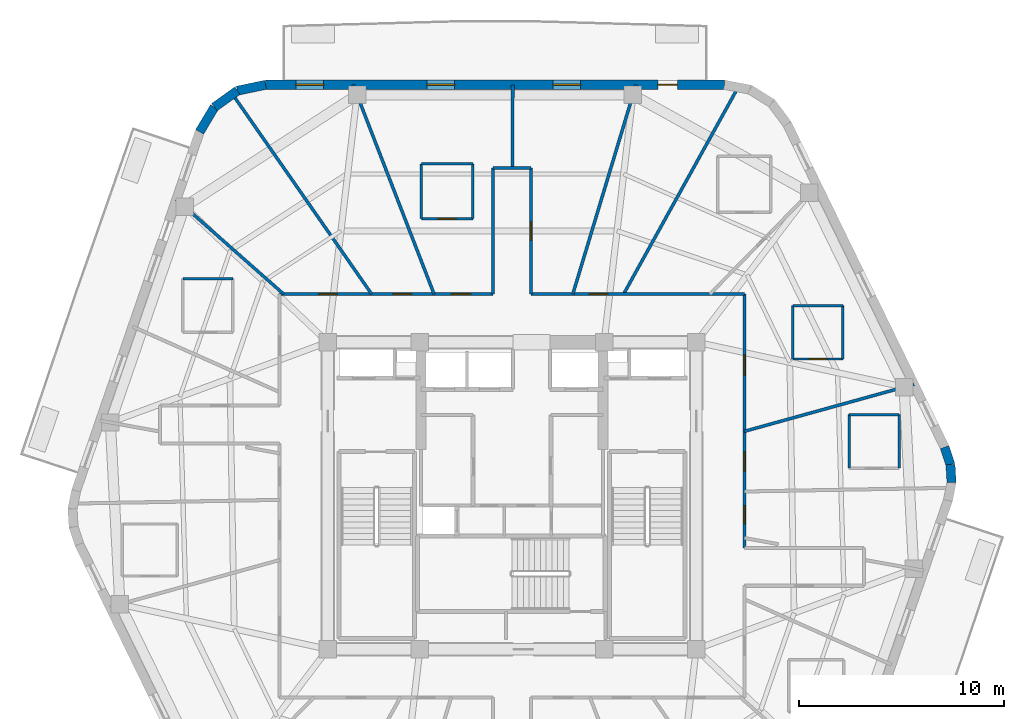
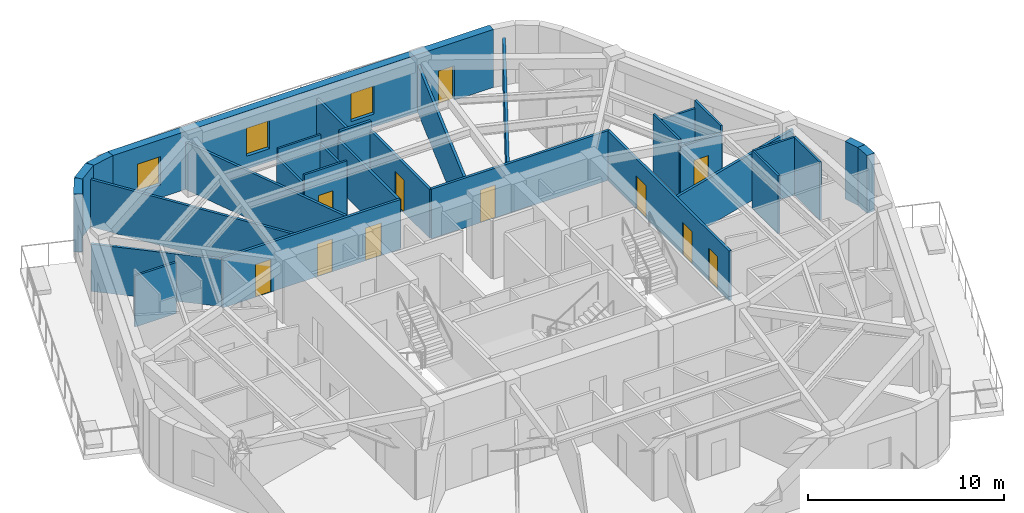
# One storey, part 6 of 9: 31 walls, 11 doors, 3 windows, 14 openings.
"""IFC4 building model written with IfcOpenShell, lengths in metres."""

from ifc_helpers import new_model, si_unit, direction, frame, frame_2d, origin, place, context, subcontext, project, spatial, rectangle, extrude, material, layer, layer_set, type_object, element, fill, save


model = new_model("IFC4")

# Units and contexts
model_context = context("Model", 3, precision=1e-05, world=origin(), true_north=direction((0.0, 1.0)))
body_context = subcontext(model_context, "Body", "Model", "MODEL_VIEW")
ifc_project = project(units=[si_unit("LENGTHUNIT", "METRE"), si_unit("AREAUNIT", "SQUARE_METRE"), si_unit("VOLUMEUNIT", "CUBIC_METRE"), si_unit("PLANEANGLEUNIT", "RADIAN"), si_unit("MASSUNIT", "GRAM", prefix="KILO")], contexts=[model_context])

# Site, building, storey
site_placement = place(None, origin())
site = spatial("IfcSite", under=ifc_project, at=site_placement, CompositionType="ELEMENT")
building_placement = place(site_placement, origin())
building = spatial("IfcBuilding", under=site, at=building_placement, Name="Kilnhurst Terrace Hotel", CompositionType="ELEMENT")
storey_placement = place(building_placement, frame((0.0, 0.0, 265.199951171875)))
storey = spatial("IfcBuildingStorey", under=building, at=storey_placement, Name="L66", CompositionType="ELEMENT", Elevation=265.199951171875)

# Walls
ifc_material_1 = material(Name="Precast concrete C40/50", Category="concrete")
ifc_layer_1 = layer(ifc_material_1, 0.449951171875, Name="Precast concrete C40/50")
ifc_layer_set_1 = layer_set([ifc_layer_1], Name="Precast concrete C40/50")
wall_type_1 = type_object("IfcWallType", Name="WL-BRK-450", PredefinedType="SOLIDWALL", material=ifc_layer_set_1)
wall_1_placement = place(storey_placement, frame((21.475830078125, 0.6435546875, 0.0), z_axis=(0.0, 0.0, 1.0), x_axis=(-0.061031097918, 0.998135865044, 0.0)))
element("IfcWall", 1, at=wall_1_placement, inside=storey, type_object=wall_type_1, Name="L66 Rounded Corner Brick Wall C3.2", PredefinedType="SOLIDWALL", context=body_context, shape_type="SweptSolid", body=[
    extrude(rectangle(XDim=0.880126953125, YDim=0.449951171875, at=frame_2d((0.43994140625, 0.0))), origin(), (0.0, 0.0, 1.0), 3.60009765625),
])
wall_2_placement = place(storey_placement, frame((21.422119140625, 1.52197265625, 0.0), z_axis=(0.0, 0.0, 1.0), x_axis=(-0.316964162323, 0.94843751497, 0.0)))
element("IfcWall", 2, at=wall_2_placement, inside=storey, type_object=wall_type_1, Name="L66 Rounded Corner Brick Wall C3.3", PredefinedType="SOLIDWALL", context=body_context, shape_type="SweptSolid", body=[
    extrude(rectangle(XDim=0.89501953125, YDim=0.449951171875, at=frame_2d((0.447509765625, 0.0))), origin(), (0.0, 0.0, 1.0), 3.60009765625),
])
wall_3_placement = place(storey_placement, frame((-12.038330078125, 20.074951171875, 0.0), z_axis=(0.0, 0.0, 1.0), x_axis=(-0.978750122553, -0.205056571711, 0.0)))
element("IfcWall", 3, at=wall_3_placement, inside=storey, type_object=wall_type_1, Name="L66 Rounded Corner Brick Wall C5.1", PredefinedType="SOLIDWALL", context=body_context, shape_type="SweptSolid", body=[
    extrude(rectangle(XDim=1.406005859375, YDim=0.449951171875, at=frame_2d((0.703125, 0.0))), origin(), (0.0, 0.0, 1.0), 3.60009765625),
])
wall_4_placement = place(storey_placement, frame((-13.41455078125, 19.78662109375, 0.0), z_axis=(0.0, 0.0, 1.0), x_axis=(-0.814055493997, -0.580787097561, 0.0)))
element("IfcWall", 4, at=wall_4_placement, inside=storey, type_object=wall_type_1, Name="L66 Rounded Corner Brick Wall C5.2", PredefinedType="SOLIDWALL", context=body_context, shape_type="SweptSolid", body=[
    extrude(rectangle(XDim=1.382568359375, YDim=0.449951171875, at=frame_2d((0.69140625, 0.0))), origin(), (0.0, 0.0, 1.0), 3.60009765625),
])
wall_5_placement = place(storey_placement, frame((-14.5400390625, 18.983642578125, 0.0), z_axis=(0.0, 0.0, 1.0), x_axis=(-0.512374906623, -0.858761873317, 0.0)))
element("IfcWall", 5, at=wall_5_placement, inside=storey, type_object=wall_type_1, Name="L66 Rounded Corner Brick Wall C5.3", PredefinedType="SOLIDWALL", context=body_context, shape_type="SweptSolid", body=[
    extrude(rectangle(XDim=1.406005859375, YDim=0.449951171875, at=frame_2d((0.703125, 0.0))), origin(), (0.0, 0.0, 1.0), 3.60009765625),
])

# Wall, openings, door, windows
wall_6_placement = place(storey_placement, frame((10.37890625, 20.074951171875, 0.0), z_axis=(0.0, 0.0, 1.0), x_axis=(-1.0, 0.0, 0.0)))
wall_6 = element("IfcWall", 6, at=wall_6_placement, inside=storey, type_object=wall_type_1, Name="L66 Exterior Brick Facade Wall F4", PredefinedType="SOLIDWALL", context=body_context, shape_type="SweptSolid", body=[
    extrude(rectangle(XDim=22.417236328125, YDim=0.449951171875, at=frame_2d((11.20849609375, 0.0))), origin(), (0.0, 0.0, 1.0), 3.60009765625),
])
opening_1_placement = place(wall_6_placement, frame((2.302001953125, 0.0, 0.0)))
opening_1 = element("IfcOpeningElement", 7, at=opening_1_placement, cuts=wall_6, Name="Opening BD-950", PredefinedType="OPENING", context=body_context, shape_type="SweptSolid", body=[
    extrude(rectangle(XDim=0.949951171875, YDim=2.14990234375, at=frame_2d((0.47509765625, 1.074951171875))), frame((0.0, 0.23486328125, 0.0), z_axis=(0.0, -1.0, 0.0), x_axis=(1.0, 0.0, 0.0)), (0.0, 0.0, 1.0), 0.469970703125),
])
opening_2_placement = place(wall_6_placement, frame((7.02197265625, 0.0, 0.800048828125)))
opening_2 = element("IfcOpeningElement", 8, at=opening_2_placement, cuts=wall_6, Name="Opening W-06", PredefinedType="OPENING", context=body_context, shape_type="SweptSolid", body=[
    extrude(rectangle(XDim=1.35009765625, YDim=1.75, at=frame_2d((0.675048828125, 0.875))), frame((0.0, 0.23486328125, 0.0), z_axis=(0.0, -1.0, 0.0), x_axis=(1.0, 0.0, 0.0)), (0.0, 0.0, 1.0), 0.469970703125),
])
opening_3_placement = place(wall_6_placement, frame((13.179931640625, 0.0, 0.800048828125)))
opening_3 = element("IfcOpeningElement", 9, at=opening_3_placement, cuts=wall_6, Name="Opening W-06", PredefinedType="OPENING", context=body_context, shape_type="SweptSolid", body=[
    extrude(rectangle(XDim=1.35009765625, YDim=1.75, at=frame_2d((0.675048828125, 0.875))), frame((0.0, 0.23486328125, 0.0), z_axis=(0.0, -1.0, 0.0), x_axis=(1.0, 0.0, 0.0)), (0.0, 0.0, 1.0), 0.469970703125),
])
opening_4_placement = place(wall_6_placement, frame((19.5869140625, 0.0, 0.800048828125)))
opening_4 = element("IfcOpeningElement", 10, at=opening_4_placement, cuts=wall_6, Name="Opening W-06", PredefinedType="OPENING", context=body_context, shape_type="SweptSolid", body=[
    extrude(rectangle(XDim=1.35009765625, YDim=1.75, at=frame_2d((0.675048828125, 0.875))), frame((0.0, 0.23486328125, 0.0), z_axis=(0.0, -1.0, 0.0), x_axis=(1.0, 0.0, 0.0)), (0.0, 0.0, 1.0), 0.469970703125),
])
ifc_material_2 = material(Name="Thermally Broken Bronze Aluminium Alloy 6063-T6 and Laminated Glass", Category="aluminium")
door_type_1 = type_object("IfcDoorType", Name="DR-EXT-BAL-950", OperationType="NOTDEFINED", PredefinedType="DOOR", material=ifc_material_2)
door_1_placement = place(opening_1_placement, origin())
door_1 = element("IfcDoor", 11, at=door_1_placement, inside=storey, type_object=door_type_1, Name="L66 Planted Balcony Door BAL-L2A", OperationType="SINGLE_SWING_RIGHT", OverallHeight=2.14990234375, OverallWidth=0.949951171875, PredefinedType="DOOR", context=body_context, shape_type="SweptSolid", body=[
    extrude(rectangle(XDim=0.949951171875, YDim=2.14990234375, at=frame_2d((0.47509765625, 1.074951171875))), frame((0.0, 0.02490234375, 0.0), z_axis=(0.0, -1.0, 0.0), x_axis=(1.0, 0.0, 0.0)), (0.0, 0.0, 1.0), 0.050048828125),
])
fill(opening_1, door_1)
ifc_material_3 = material(Name="Thermally Broken Bronze Aluminium Alloy 6063-T6 and Low-E Glass", Category="aluminium")
window_type = type_object("IfcWindowType", Name="WIN-1350X1750", PartitioningType="SINGLE_PANEL", PredefinedType="WINDOW", material=ifc_material_3)
window_1_placement = place(opening_2_placement, origin())
window_1 = element("IfcWindow", 12, at=window_1_placement, inside=storey, type_object=window_type, Name="L66 Deep-Set Masonry Window F4.1", OverallHeight=1.75, OverallWidth=1.35009765625, PartitioningType="SINGLE_PANEL", PredefinedType="WINDOW", context=body_context, shape_type="SweptSolid", body=[
    extrude(rectangle(XDim=1.35009765625, YDim=1.75, at=frame_2d((0.675048828125, 0.875))), frame((0.0, 0.030029296875, 0.0), z_axis=(0.0, -1.0, 0.0), x_axis=(1.0, 0.0, 0.0)), (0.0, 0.0, 1.0), 0.06005859375),
])
fill(opening_2, window_1)
window_2_placement = place(opening_3_placement, origin())
window_2 = element("IfcWindow", 13, at=window_2_placement, inside=storey, type_object=window_type, Name="L66 Deep-Set Masonry Window F4.2", OverallHeight=1.75, OverallWidth=1.35009765625, PartitioningType="SINGLE_PANEL", PredefinedType="WINDOW", context=body_context, shape_type="SweptSolid", body=[
    extrude(rectangle(XDim=1.35009765625, YDim=1.75, at=frame_2d((0.675048828125, 0.875))), frame((0.0, 0.030029296875, 0.0), z_axis=(0.0, -1.0, 0.0), x_axis=(1.0, 0.0, 0.0)), (0.0, 0.0, 1.0), 0.06005859375),
])
fill(opening_3, window_2)
window_3_placement = place(opening_4_placement, origin())
window_3 = element("IfcWindow", 14, at=window_3_placement, inside=storey, type_object=window_type, Name="L66 Deep-Set Masonry Window F4.3", OverallHeight=1.75, OverallWidth=1.35009765625, PartitioningType="SINGLE_PANEL", PredefinedType="WINDOW", context=body_context, shape_type="SweptSolid", body=[
    extrude(rectangle(XDim=1.35009765625, YDim=1.75, at=frame_2d((0.675048828125, 0.875))), frame((0.0, 0.030029296875, 0.0), z_axis=(0.0, -1.0, 0.0), x_axis=(1.0, 0.0, 0.0)), (0.0, 0.0, 1.0), 0.06005859375),
])
fill(opening_4, window_3)

# Wall, openings, doors
ifc_material_4 = material(Name="Acoustic Double-Gypsum Corridor Partition Assembly")
ifc_layer_2 = layer(ifc_material_4, 0.14990234375, Name="Acoustic Double-Gypsum Corridor Partition Assembly")
ifc_layer_set_2 = layer_set([ifc_layer_2], Name="Acoustic Double-Gypsum Corridor Partition Assembly")
wall_type_2 = type_object("IfcWallType", Name="WL-COR-150", PredefinedType="PARTITIONING", material=ifc_layer_set_2)
wall_7_placement = place(storey_placement, frame((-11.35009765625, 9.85009765625, 0.0), z_axis=(0.0, 0.0, 1.0), x_axis=(1.0, 0.0, 0.0)))
wall_7 = element("IfcWall", 15, at=wall_7_placement, inside=storey, type_object=wall_type_2, Name="L66 Interior Wall WL-L66-COR-06", PredefinedType="PARTITIONING", context=body_context, shape_type="SweptSolid", body=[
    extrude(rectangle(XDim=10.43017578125, YDim=0.14990234375, at=frame_2d((5.215087890625, 0.0))), origin(), (0.0, 0.0, 1.0), 3.090087890625),
])
opening_5_placement = place(wall_7_placement, frame((8.382080078125, 0.0, 0.0)))
opening_5 = element("IfcOpeningElement", 16, at=opening_5_placement, cuts=wall_7, Name="Opening D-60B", PredefinedType="OPENING", context=body_context, shape_type="SweptSolid", body=[
    extrude(rectangle(XDim=0.949951171875, YDim=2.030029296875, at=frame_2d((0.47509765625, 1.01513671875))), frame((0.0, 0.0849609375, 0.0), z_axis=(0.0, -1.0, 0.0), x_axis=(1.0, 0.0, 0.0)), (0.0, 0.0, 1.0), 0.169921875),
])
opening_6_placement = place(wall_7_placement, frame((5.541015625, 0.0, 0.0)))
opening_6 = element("IfcOpeningElement", 17, at=opening_6_placement, cuts=wall_7, Name="Opening D-60C", PredefinedType="OPENING", context=body_context, shape_type="SweptSolid", body=[
    extrude(rectangle(XDim=0.89990234375, YDim=2.030029296875, at=frame_2d((0.449951171875, 1.01513671875))), frame((0.0, 0.0849609375, 0.0), z_axis=(0.0, -1.0, 0.0), x_axis=(1.0, 0.0, 0.0)), (0.0, 0.0, 1.0), 0.169921875),
])
opening_7_placement = place(wall_7_placement, frame((1.916015625, 0.0, 0.0)))
opening_7 = element("IfcOpeningElement", 18, at=opening_7_placement, cuts=wall_7, Name="Opening D-60C", PredefinedType="OPENING", context=body_context, shape_type="SweptSolid", body=[
    extrude(rectangle(XDim=0.89990234375, YDim=2.030029296875, at=frame_2d((0.449951171875, 1.01513671875))), frame((0.0, 0.0849609375, 0.0), z_axis=(0.0, -1.0, 0.0), x_axis=(1.0, 0.0, 0.0)), (0.0, 0.0, 1.0), 0.169921875),
])
ifc_material_5 = material(Name="Painted Solid-Core Service Fire Door")
door_type_2 = type_object("IfcDoorType", Name="DR-FD60-900", OperationType="NOTDEFINED", PredefinedType="DOOR", material=ifc_material_5)
door_2_placement = place(opening_6_placement, origin())
door_2 = element("IfcDoor", 19, at=door_2_placement, inside=storey, type_object=door_type_2, Name="L66 Botanical Reading Lounge Door 7", OperationType="SINGLE_SWING_LEFT", OverallHeight=2.030029296875, OverallWidth=0.89990234375, PredefinedType="DOOR", context=body_context, shape_type="SweptSolid", body=[
    extrude(rectangle(XDim=0.89990234375, YDim=2.030029296875, at=frame_2d((0.449951171875, 1.01513671875))), frame((0.0, 0.02490234375, 0.0), z_axis=(0.0, -1.0, 0.0), x_axis=(1.0, 0.0, 0.0)), (0.0, 0.0, 1.0), 0.050048828125),
])
fill(opening_6, door_2)
door_3_placement = place(opening_7_placement, origin())
door_3 = element("IfcDoor", 20, at=door_3_placement, inside=storey, type_object=door_type_2, Name="L66 Private Meeting Salon Door 8", OperationType="SINGLE_SWING_RIGHT", OverallHeight=2.030029296875, OverallWidth=0.89990234375, PredefinedType="DOOR", context=body_context, shape_type="SweptSolid", body=[
    extrude(rectangle(XDim=0.89990234375, YDim=2.030029296875, at=frame_2d((0.449951171875, 1.01513671875))), frame((0.0, 0.02490234375, 0.0), z_axis=(0.0, -1.0, 0.0), x_axis=(1.0, 0.0, 0.0)), (0.0, 0.0, 1.0), 0.050048828125),
])
fill(opening_7, door_3)
ifc_material_6 = material(Name="Acoustic Walnut Veneer Solid-Core Fire Door")
door_type_3 = type_object("IfcDoorType", Name="DR-FD60-950", OperationType="NOTDEFINED", PredefinedType="DOOR", material=ifc_material_6)
door_4_placement = place(opening_5_placement, origin())
door_4 = element("IfcDoor", 21, at=door_4_placement, inside=storey, type_object=door_type_3, Name="L66 Guest Room Entry Door 6", OperationType="SINGLE_SWING_RIGHT", OverallHeight=2.030029296875, OverallWidth=0.949951171875, PredefinedType="DOOR", context=body_context, shape_type="SweptSolid", body=[
    extrude(rectangle(XDim=0.949951171875, YDim=2.030029296875, at=frame_2d((0.47509765625, 1.01513671875))), frame((0.0, 0.02490234375, 0.0), z_axis=(0.0, -1.0, 0.0), x_axis=(1.0, 0.0, 0.0)), (0.0, 0.0, 1.0), 0.050048828125),
])
fill(opening_5, door_4)

# Walls
wall_8_placement = place(storey_placement, frame((-0.919921875, 9.85009765625, 0.0), z_axis=(0.0, 0.0, 1.0), x_axis=(0.0, 1.0, 0.0)))
element("IfcWall", 22, at=wall_8_placement, inside=storey, type_object=wall_type_2, Name="L66 Interior Wall WL-L66-COR-07", PredefinedType="PARTITIONING", context=body_context, shape_type="SweptSolid", body=[
    extrude(rectangle(XDim=6.14990234375, YDim=0.14990234375, at=frame_2d((3.074951171875, 0.0))), origin(), (0.0, 0.0, 1.0), 3.04052734375),
])
wall_9_placement = place(storey_placement, frame((-0.919921875, 16.0, 0.0), z_axis=(0.0, 0.0, 1.0), x_axis=(1.0, 0.0, 0.0)))
element("IfcWall", 23, at=wall_9_placement, inside=storey, type_object=wall_type_2, Name="L66 Interior Wall WL-L66-COR-08", PredefinedType="PARTITIONING", context=body_context, shape_type="SweptSolid", body=[
    extrude(rectangle(XDim=1.83984375, YDim=0.14990234375, at=frame_2d((0.919921875, 0.0))), origin(), (0.0, 0.0, 1.0), 3.60009765625),
])

# Wall, opening, door
wall_10_placement = place(storey_placement, frame((0.919921875, 16.0, 0.0), z_axis=(0.0, 0.0, 1.0), x_axis=(0.0, -1.0, 0.0)))
wall_10 = element("IfcWall", 24, at=wall_10_placement, inside=storey, type_object=wall_type_2, Name="L66 Interior Wall WL-L66-COR-09", PredefinedType="PARTITIONING", context=body_context, shape_type="SweptSolid", body=[
    extrude(rectangle(XDim=6.14990234375, YDim=0.14990234375, at=frame_2d((3.074951171875, 0.0))), origin(), (0.0, 0.0, 1.0), 3.04052734375),
])
opening_8_placement = place(wall_10_placement, frame((2.625, 0.0, 0.0)))
opening_8 = element("IfcOpeningElement", 25, at=opening_8_placement, cuts=wall_10, Name="Opening D-60C", PredefinedType="OPENING", context=body_context, shape_type="SweptSolid", body=[
    extrude(rectangle(XDim=0.89990234375, YDim=2.030029296875, at=frame_2d((0.449951171875, 1.01513671875))), frame((0.0, 0.0849609375, 0.0), z_axis=(0.0, -1.0, 0.0), x_axis=(1.0, 0.0, 0.0)), (0.0, 0.0, 1.0), 0.169921875),
])
door_5_placement = place(opening_8_placement, origin())
door_5 = element("IfcDoor", 26, at=door_5_placement, inside=storey, type_object=door_type_2, Name="L66 Executive Work Office Door 5", OperationType="SINGLE_SWING_LEFT", OverallHeight=2.030029296875, OverallWidth=0.89990234375, PredefinedType="DOOR", context=body_context, shape_type="SweptSolid", body=[
    extrude(rectangle(XDim=0.89990234375, YDim=2.030029296875, at=frame_2d((0.449951171875, 1.01513671875))), frame((0.0, 0.02490234375, 0.0), z_axis=(0.0, -1.0, 0.0), x_axis=(1.0, 0.0, 0.0)), (0.0, 0.0, 1.0), 0.050048828125),
])
fill(opening_8, door_5)

wall_11_placement = place(storey_placement, frame((0.919921875, 9.85009765625, 0.0), z_axis=(0.0, 0.0, 1.0), x_axis=(1.0, 0.0, 0.0)))
wall_11 = element("IfcWall", 27, at=wall_11_placement, inside=storey, type_object=wall_type_2, Name="L66 Interior Wall WL-L66-COR-10", PredefinedType="PARTITIONING", context=body_context, shape_type="SweptSolid", body=[
    extrude(rectangle(XDim=10.43017578125, YDim=0.14990234375, at=frame_2d((5.215087890625, 0.0))), origin(), (0.0, 0.0, 1.0), 3.090087890625),
])
opening_9_placement = place(wall_11_placement, frame((2.860107421875, 0.0, 0.0)))
opening_9 = element("IfcOpeningElement", 28, at=opening_9_placement, cuts=wall_11, Name="Opening D-60C", PredefinedType="OPENING", context=body_context, shape_type="SweptSolid", body=[
    extrude(rectangle(XDim=0.89990234375, YDim=2.030029296875, at=frame_2d((0.449951171875, 1.01513671875))), frame((0.0, 0.0849609375, 0.0), z_axis=(0.0, -1.0, 0.0), x_axis=(1.0, 0.0, 0.0)), (0.0, 0.0, 1.0), 0.169921875),
])
door_6_placement = place(opening_9_placement, origin())
door_6 = element("IfcDoor", 29, at=door_6_placement, inside=storey, type_object=door_type_2, Name="L66 Executive Work Office Door 4", OperationType="SINGLE_SWING_RIGHT", OverallHeight=2.030029296875, OverallWidth=0.89990234375, PredefinedType="DOOR", context=body_context, shape_type="SweptSolid", body=[
    extrude(rectangle(XDim=0.89990234375, YDim=2.030029296875, at=frame_2d((0.449951171875, 1.01513671875))), frame((0.0, 0.02490234375, 0.0), z_axis=(0.0, -1.0, 0.0), x_axis=(1.0, 0.0, 0.0)), (0.0, 0.0, 1.0), 0.050048828125),
])
fill(opening_9, door_6)

# Wall, openings, doors
wall_12_placement = place(storey_placement, frame((11.35009765625, 9.85009765625, 0.0), z_axis=(0.0, 0.0, 1.0), x_axis=(0.0, -1.0, 0.0)))
wall_12 = element("IfcWall", 30, at=wall_12_placement, inside=storey, type_object=wall_type_2, Name="L66 Interior Wall WL-L66-COR-11", PredefinedType="PARTITIONING", context=body_context, shape_type="SweptSolid", body=[
    extrude(rectangle(XDim=12.400146484375, YDim=0.14990234375, at=frame_2d((6.2001953125, 0.0))), origin(), (0.0, 0.0, 1.0), 3.090087890625),
])
opening_10_placement = place(wall_12_placement, frame((7.697021484375, 0.0, 0.0)))
opening_10 = element("IfcOpeningElement", 31, at=opening_10_placement, cuts=wall_12, Name="Opening D-60B", PredefinedType="OPENING", context=body_context, shape_type="SweptSolid", body=[
    extrude(rectangle(XDim=0.949951171875, YDim=2.030029296875, at=frame_2d((0.47509765625, 1.01513671875))), frame((0.0, 0.0849609375, 0.0), z_axis=(0.0, -1.0, 0.0), x_axis=(1.0, 0.0, 0.0)), (0.0, 0.0, 1.0), 0.169921875),
])
opening_11_placement = place(wall_12_placement, frame((2.972900390625, 0.0, 0.0)))
opening_11 = element("IfcOpeningElement", 32, at=opening_11_placement, cuts=wall_12, Name="Opening D-60A", PredefinedType="OPENING", context=body_context, shape_type="SweptSolid", body=[
    extrude(rectangle(XDim=1.0, YDim=2.030029296875, at=frame_2d((0.5, 1.01513671875))), frame((0.0, 0.0849609375, 0.0), z_axis=(0.0, -1.0, 0.0), x_axis=(1.0, 0.0, 0.0)), (0.0, 0.0, 1.0), 0.169921875),
])
opening_12_placement = place(wall_12_placement, frame((10.3330078125, 0.0, 0.0)))
opening_12 = element("IfcOpeningElement", 33, at=opening_12_placement, cuts=wall_12, Name="Opening D-60C", PredefinedType="OPENING", context=body_context, shape_type="SweptSolid", body=[
    extrude(rectangle(XDim=0.89990234375, YDim=2.030029296875, at=frame_2d((0.449951171875, 1.01513671875))), frame((0.0, 0.0849609375, 0.0), z_axis=(0.0, -1.0, 0.0), x_axis=(1.0, 0.0, 0.0)), (0.0, 0.0, 1.0), 0.169921875),
])
door_type_4 = type_object("IfcDoorType", Name="DR-FD60-1000", OperationType="NOTDEFINED", PredefinedType="DOOR", material=ifc_material_6)
door_7_placement = place(opening_11_placement, origin())
door_7 = element("IfcDoor", 34, at=door_7_placement, inside=storey, type_object=door_type_4, Name="L66 Sky Residence Entry Door 2", OperationType="SINGLE_SWING_RIGHT", OverallHeight=2.030029296875, OverallWidth=1.0, PredefinedType="DOOR", context=body_context, shape_type="SweptSolid", body=[
    extrude(rectangle(XDim=1.0, YDim=2.030029296875, at=frame_2d((0.5, 1.01513671875))), frame((0.0, 0.02490234375, 0.0), z_axis=(0.0, -1.0, 0.0), x_axis=(1.0, 0.0, 0.0)), (0.0, 0.0, 1.0), 0.050048828125),
])
fill(opening_11, door_7)
door_8_placement = place(opening_12_placement, origin())
door_8 = element("IfcDoor", 35, at=door_8_placement, inside=storey, type_object=door_type_2, Name="L66 Private Tasting Dining Room Door 22", OperationType="SINGLE_SWING_RIGHT", OverallHeight=2.030029296875, OverallWidth=0.89990234375, PredefinedType="DOOR", context=body_context, shape_type="SweptSolid", body=[
    extrude(rectangle(XDim=0.89990234375, YDim=2.030029296875, at=frame_2d((0.449951171875, 1.01513671875))), frame((0.0, 0.02490234375, 0.0), z_axis=(0.0, -1.0, 0.0), x_axis=(1.0, 0.0, 0.0)), (0.0, 0.0, 1.0), 0.050048828125),
])
fill(opening_12, door_8)
door_9_placement = place(opening_10_placement, origin())
door_9 = element("IfcDoor", 36, at=door_9_placement, inside=storey, type_object=door_type_3, Name="L66 Guest Room Entry Door 1", OperationType="SINGLE_SWING_LEFT", OverallHeight=2.030029296875, OverallWidth=0.949951171875, PredefinedType="DOOR", context=body_context, shape_type="SweptSolid", body=[
    extrude(rectangle(XDim=0.949951171875, YDim=2.030029296875, at=frame_2d((0.47509765625, 1.01513671875))), frame((0.0, 0.02490234375, 0.0), z_axis=(0.0, -1.0, 0.0), x_axis=(1.0, 0.0, 0.0)), (0.0, 0.0, 1.0), 0.050048828125),
])
fill(opening_10, door_9)

# Walls
ifc_material_7 = material(Name="STC-58 Acoustic Twin-Frame Guestroom Demising Partition")
ifc_layer_3 = layer(ifc_material_7, 0.14990234375, Name="STC-58 Acoustic Twin-Frame Guestroom Demising Partition")
ifc_layer_set_3 = layer_set([ifc_layer_3], Name="STC-58 Acoustic Twin-Frame Guestroom Demising Partition")
wall_type_3 = type_object("IfcWallType", Name="WL-DEM-150", PredefinedType="PARTITIONING", material=ifc_layer_set_3)
wall_13_placement = place(storey_placement, frame((11.35009765625, 3.142822265625, 0.0), z_axis=(0.0, 0.0, 1.0), x_axis=(0.963731818141, 0.266872596386, 0.0)))
element("IfcWall", 37, at=wall_13_placement, inside=storey, type_object=wall_type_3, Name="L66 Interior Wall WL-L66-DEM-COL01-02-1", PredefinedType="PARTITIONING", context=body_context, shape_type="SweptSolid", body=[
    extrude(rectangle(XDim=8.604736328125, YDim=0.14990234375, at=frame_2d((4.30224609375, 0.0))), origin(), (0.0, 0.0, 1.0), 2.93994140625),
])
wall_14_placement = place(storey_placement, frame((5.453857421875, 9.85009765625, 0.0), z_axis=(0.0, 0.0, 1.0), x_axis=(0.48439420613, 0.874849846012, 0.0)))
element("IfcWall", 38, at=wall_14_placement, inside=storey, type_object=wall_type_3, Name="L66 Interior Wall WL-L66-DEM-MID02-04-1", PredefinedType="PARTITIONING", context=body_context, shape_type="SweptSolid", body=[
    extrude(rectangle(XDim=11.37548828125, YDim=0.14990234375, at=frame_2d((5.687744140625, 0.0))), origin(), (0.0, 0.0, 1.0), 2.93994140625),
])
wall_15_placement = place(storey_placement, frame((2.97216796875, 9.85009765625, 0.0), z_axis=(0.0, 0.0, 1.0), x_axis=(0.288872169679, 0.957367677324, 0.0)))
element("IfcWall", 39, at=wall_15_placement, inside=storey, type_object=wall_type_3, Name="L66 Interior Wall WL-L66-DEM-COL03-05-1", PredefinedType="PARTITIONING", context=body_context, shape_type="SweptSolid", body=[
    extrude(rectangle(XDim=10.68017578125, YDim=0.14990234375, at=frame_2d((5.340087890625, 0.0))), origin(), (0.0, 0.0, 1.0), 2.93994140625),
])
wall_16_placement = place(storey_placement, frame((0.02880859375, 16.0, 0.0), z_axis=(0.0, 0.0, 1.0), x_axis=(0.001797372928, 0.999998384724, 0.0)))
element("IfcWall", 40, at=wall_16_placement, inside=storey, type_object=wall_type_3, Name="L66 Interior Wall WL-L66-DEM-MID03-06-1", PredefinedType="PARTITIONING", context=body_context, shape_type="SweptSolid", body=[
    extrude(rectangle(XDim=4.074951171875, YDim=0.14990234375, at=frame_2d((2.03759765625, 0.0))), origin(), (0.0, 0.0, 1.0), 2.93994140625),
])
wall_17_placement = place(storey_placement, frame((-3.8076171875, 9.85009765625, 0.0), z_axis=(0.0, 0.0, 1.0), x_axis=(-0.360587327934, 0.932725457427, 0.0)))
element("IfcWall", 41, at=wall_17_placement, inside=storey, type_object=wall_type_3, Name="L66 Interior Wall WL-L66-DEM-COL04-07-1", PredefinedType="PARTITIONING", context=body_context, shape_type="SweptSolid", body=[
    extrude(rectangle(XDim=10.96240234375, YDim=0.14990234375, at=frame_2d((5.481201171875, 0.0))), origin(), (0.0, 0.0, 1.0), 2.93994140625),
])
wall_18_placement = place(storey_placement, frame((-6.858154296875, 9.85009765625, 0.0), z_axis=(0.0, 0.0, 1.0), x_axis=(-0.571391702066, 0.820677477948, 0.0)))
element("IfcWall", 42, at=wall_18_placement, inside=storey, type_object=wall_type_3, Name="L66 Interior Wall WL-L66-DEM-MID04-08-1", PredefinedType="PARTITIONING", context=body_context, shape_type="SweptSolid", body=[
    extrude(rectangle(XDim=11.737548828125, YDim=0.14990234375, at=frame_2d((5.86865234375, 0.0))), origin(), (0.0, 0.0, 1.0), 2.93994140625),
])
wall_19_placement = place(storey_placement, frame((-11.1572265625, 9.85009765625, 0.0), z_axis=(0.0, 0.0, 1.0), x_axis=(-0.74966962095, 0.661812253909, 0.0)))
element("IfcWall", 43, at=wall_19_placement, inside=storey, type_object=wall_type_3, Name="L66 Interior Wall WL-L66-DEM-COL05-09-1", PredefinedType="PARTITIONING", context=body_context, shape_type="SweptSolid", body=[
    extrude(rectangle(XDim=6.98876953125, YDim=0.14990234375, at=frame_2d((3.494384765625, 0.0))), origin(), (0.0, 0.0, 1.0), 2.93994140625),
])
ifc_material_8 = material(Name="120 mm Moisture-Resistant Tile-Backed Bathroom Partition")
ifc_layer_4 = layer(ifc_material_8, 0.1201171875, Name="120 mm Moisture-Resistant Tile-Backed Bathroom Partition")
ifc_layer_set_4 = layer_set([ifc_layer_4], Name="120 mm Moisture-Resistant Tile-Backed Bathroom Partition")
wall_type_4 = type_object("IfcWallType", Name="WL-PART-120", PredefinedType="PARTITIONING", material=ifc_layer_set_4)
wall_20_placement = place(storey_placement, frame((18.910888671875, 1.34912109375, 0.0), z_axis=(0.0, 0.0, 1.0), x_axis=(0.0, 1.0, 0.0)))
element("IfcWall", 44, at=wall_20_placement, inside=storey, type_object=wall_type_4, Name="L66 Interior Wall WL-L66-BTH-01-2", PredefinedType="PARTITIONING", context=body_context, shape_type="SweptSolid", body=[
    extrude(rectangle(XDim=2.60986328125, YDim=0.1201171875, at=frame_2d((1.304931640625, 0.0))), origin(), (0.0, 0.0, 1.0), 3.60009765625),
])
wall_21_placement = place(storey_placement, frame((18.910888671875, 3.958984375, 0.0), z_axis=(0.0, 0.0, 1.0), x_axis=(-1.0, 0.0, 0.0)))
element("IfcWall", 45, at=wall_21_placement, inside=storey, type_object=wall_type_4, Name="L66 Interior Wall WL-L66-BTH-01-3", PredefinedType="PARTITIONING", context=body_context, shape_type="SweptSolid", body=[
    extrude(rectangle(XDim=2.43994140625, YDim=0.1201171875, at=frame_2d((1.219970703125, 0.0))), origin(), (0.0, 0.0, 1.0), 3.60009765625),
])
wall_22_placement = place(storey_placement, frame((16.470947265625, 3.958984375, 0.0), z_axis=(0.0, 0.0, 1.0), x_axis=(0.0, -1.0, 0.0)))
element("IfcWall", 46, at=wall_22_placement, inside=storey, type_object=wall_type_4, Name="L66 Interior Wall WL-L66-BTH-01-4", PredefinedType="PARTITIONING", context=body_context, shape_type="SweptSolid", body=[
    extrude(rectangle(XDim=2.60986328125, YDim=0.1201171875, at=frame_2d((1.304931640625, 0.0))), origin(), (0.0, 0.0, 1.0), 3.60009765625),
])

# Wall, opening, door
wall_23_placement = place(storey_placement, frame((13.722900390625, 6.677001953125, 0.0), z_axis=(0.0, 0.0, 1.0), x_axis=(1.0, 0.0, 0.0)))
wall_23 = element("IfcWall", 47, at=wall_23_placement, inside=storey, type_object=wall_type_4, Name="L66 Interior Wall WL-L66-KIT-02-1", PredefinedType="PARTITIONING", context=body_context, shape_type="SweptSolid", body=[
    extrude(rectangle(XDim=2.440185546875, YDim=0.1201171875, at=frame_2d((1.22021484375, 0.0))), origin(), (0.0, 0.0, 1.0), 3.12646484375),
])
opening_13_placement = place(wall_23_placement, frame((0.794921875, 0.0, 0.0)))
opening_13 = element("IfcOpeningElement", 48, at=opening_13_placement, cuts=wall_23, Name="Opening D-08A", PredefinedType="OPENING", context=body_context, shape_type="SweptSolid", body=[
    extrude(rectangle(XDim=0.85009765625, YDim=2.030029296875, at=frame_2d((0.425048828125, 1.01513671875))), frame((0.0, 0.070068359375, 0.0), z_axis=(0.0, -1.0, 0.0), x_axis=(1.0, 0.0, 0.0)), (0.0, 0.0, 1.0), 0.14013671875),
])
ifc_material_9 = material(Name="Moisture-Resistant Lacquered En-suite Bathroom Door")
door_type_5 = type_object("IfcDoorType", Name="DR-INT-850", OperationType="NOTDEFINED", PredefinedType="DOOR", material=ifc_material_9)
door_10_placement = place(opening_13_placement, origin())
door_10 = element("IfcDoor", 49, at=door_10_placement, inside=storey, type_object=door_type_5, Name="L66 Sky Residence Kitchen Door 2", OperationType="SINGLE_SWING_RIGHT", OverallHeight=2.030029296875, OverallWidth=0.85009765625, PredefinedType="DOOR", context=body_context, shape_type="SweptSolid", body=[
    extrude(rectangle(XDim=0.85009765625, YDim=2.030029296875, at=frame_2d((0.425048828125, 1.01513671875))), frame((0.0, 0.02490234375, 0.0), z_axis=(0.0, -1.0, 0.0), x_axis=(1.0, 0.0, 0.0)), (0.0, 0.0, 1.0), 0.050048828125),
])
fill(opening_13, door_10)

# Walls
wall_24_placement = place(storey_placement, frame((16.1630859375, 6.677001953125, 0.0), z_axis=(0.0, 0.0, 1.0), x_axis=(0.0, 1.0, 0.0)))
element("IfcWall", 50, at=wall_24_placement, inside=storey, type_object=wall_type_4, Name="L66 Interior Wall WL-L66-KIT-02-2", PredefinedType="PARTITIONING", context=body_context, shape_type="SweptSolid", body=[
    extrude(rectangle(XDim=2.610107421875, YDim=0.1201171875, at=frame_2d((1.30517578125, 0.0))), origin(), (0.0, 0.0, 1.0), 3.60009765625),
])
wall_25_placement = place(storey_placement, frame((16.1630859375, 9.287109375, 0.0), z_axis=(0.0, 0.0, 1.0), x_axis=(-1.0, 0.0, 0.0)))
element("IfcWall", 51, at=wall_25_placement, inside=storey, type_object=wall_type_4, Name="L66 Interior Wall WL-L66-KIT-02-3", PredefinedType="PARTITIONING", context=body_context, shape_type="SweptSolid", body=[
    extrude(rectangle(XDim=2.440185546875, YDim=0.1201171875, at=frame_2d((1.22021484375, 0.0))), origin(), (0.0, 0.0, 1.0), 3.12646484375),
])
wall_26_placement = place(storey_placement, frame((13.722900390625, 9.287109375, 0.0), z_axis=(0.0, 0.0, 1.0), x_axis=(0.0, -1.0, 0.0)))
element("IfcWall", 52, at=wall_26_placement, inside=storey, type_object=wall_type_4, Name="L66 Interior Wall WL-L66-KIT-02-4", PredefinedType="PARTITIONING", context=body_context, shape_type="SweptSolid", body=[
    extrude(rectangle(XDim=2.610107421875, YDim=0.1201171875, at=frame_2d((1.30517578125, 0.0))), origin(), (0.0, 0.0, 1.0), 3.60009765625),
])

# Wall, opening, door
wall_27_placement = place(storey_placement, frame((-4.430908203125, 13.534912109375, 0.0), z_axis=(0.0, 0.0, 1.0), x_axis=(1.0, 0.0, 0.0)))
wall_27 = element("IfcWall", 53, at=wall_27_placement, inside=storey, type_object=wall_type_4, Name="L66 Interior Wall WL-L66-BTH-06-1", PredefinedType="PARTITIONING", context=body_context, shape_type="SweptSolid", body=[
    extrude(rectangle(XDim=2.52001953125, YDim=0.1201171875, at=frame_2d((1.260009765625, 0.0))), origin(), (0.0, 0.0, 1.0), 3.60009765625),
])
opening_14_placement = place(wall_27_placement, frame((0.8349609375, 0.0, 0.0)))
opening_14 = element("IfcOpeningElement", 54, at=opening_14_placement, cuts=wall_27, Name="Opening D-08A", PredefinedType="OPENING", context=body_context, shape_type="SweptSolid", body=[
    extrude(rectangle(XDim=0.85009765625, YDim=2.030029296875, at=frame_2d((0.425048828125, 1.01513671875))), frame((0.0, 0.070068359375, 0.0), z_axis=(0.0, -1.0, 0.0), x_axis=(1.0, 0.0, 0.0)), (0.0, 0.0, 1.0), 0.14013671875),
])
door_11_placement = place(opening_14_placement, origin())
door_11 = element("IfcDoor", 55, at=door_11_placement, inside=storey, type_object=door_type_5, Name="L66 En-suite Bathroom Door 6", OperationType="SINGLE_SWING_LEFT", OverallHeight=2.030029296875, OverallWidth=0.85009765625, PredefinedType="DOOR", context=body_context, shape_type="SweptSolid", body=[
    extrude(rectangle(XDim=0.85009765625, YDim=2.030029296875, at=frame_2d((0.425048828125, 1.01513671875))), frame((0.0, 0.02490234375, 0.0), z_axis=(0.0, -1.0, 0.0), x_axis=(1.0, 0.0, 0.0)), (0.0, 0.0, 1.0), 0.050048828125),
])
fill(opening_14, door_11)

# Walls
wall_28_placement = place(storey_placement, frame((-1.910888671875, 13.534912109375, 0.0), z_axis=(0.0, 0.0, 1.0), x_axis=(0.0, 1.0, 0.0)))
element("IfcWall", 56, at=wall_28_placement, inside=storey, type_object=wall_type_4, Name="L66 Interior Wall WL-L66-BTH-06-2", PredefinedType="PARTITIONING", context=body_context, shape_type="SweptSolid", body=[
    extrude(rectangle(XDim=2.68017578125, YDim=0.1201171875, at=frame_2d((1.340087890625, 0.0))), origin(), (0.0, 0.0, 1.0), 3.04052734375),
])
wall_29_placement = place(storey_placement, frame((-1.910888671875, 16.215087890625, 0.0), z_axis=(0.0, 0.0, 1.0), x_axis=(-1.0, 0.0, 0.0)))
element("IfcWall", 57, at=wall_29_placement, inside=storey, type_object=wall_type_4, Name="L66 Interior Wall WL-L66-BTH-06-3", PredefinedType="PARTITIONING", context=body_context, shape_type="SweptSolid", body=[
    extrude(rectangle(XDim=2.52001953125, YDim=0.1201171875, at=frame_2d((1.260009765625, 0.0))), origin(), (0.0, 0.0, 1.0), 3.60009765625),
])
wall_30_placement = place(storey_placement, frame((-4.430908203125, 16.215087890625, 0.0), z_axis=(0.0, 0.0, 1.0), x_axis=(0.0, -1.0, 0.0)))
element("IfcWall", 58, at=wall_30_placement, inside=storey, type_object=wall_type_4, Name="L66 Interior Wall WL-L66-BTH-06-4", PredefinedType="PARTITIONING", context=body_context, shape_type="SweptSolid", body=[
    extrude(rectangle(XDim=2.68017578125, YDim=0.1201171875, at=frame_2d((1.340087890625, 0.0))), origin(), (0.0, 0.0, 1.0), 3.04052734375),
])
wall_31_placement = place(storey_placement, frame((-13.638916015625, 10.60205078125, 0.0), z_axis=(0.0, 0.0, 1.0), x_axis=(-1.0, 0.0, 0.0)))
element("IfcWall", 59, at=wall_31_placement, inside=storey, type_object=wall_type_4, Name="L66 Interior Wall WL-L66-BTH-09-3", PredefinedType="PARTITIONING", context=body_context, shape_type="SweptSolid", body=[
    extrude(rectangle(XDim=2.440185546875, YDim=0.1201171875, at=frame_2d((1.22021484375, 0.0))), origin(), (0.0, 0.0, 1.0), 3.17236328125),
])

save(model, "model.ifc")
